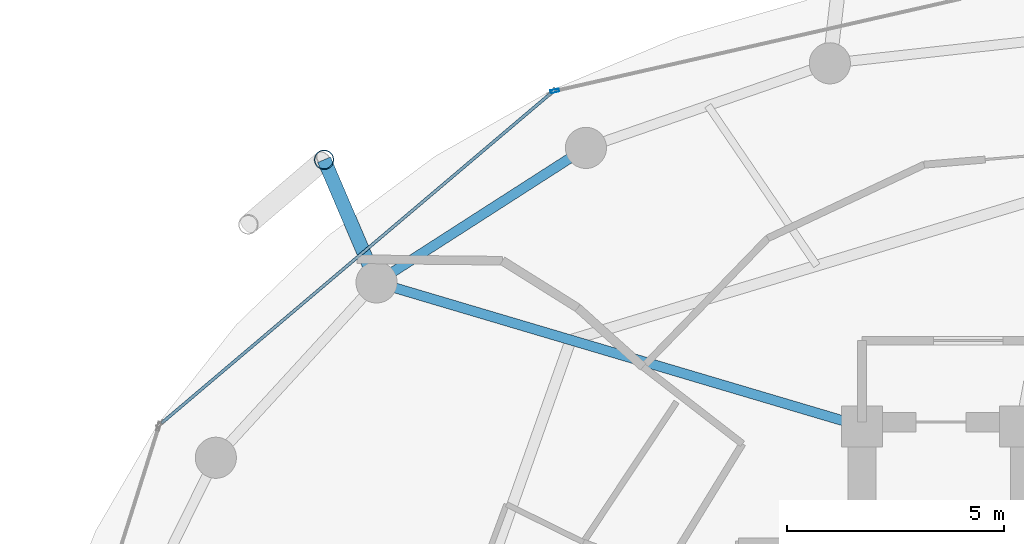
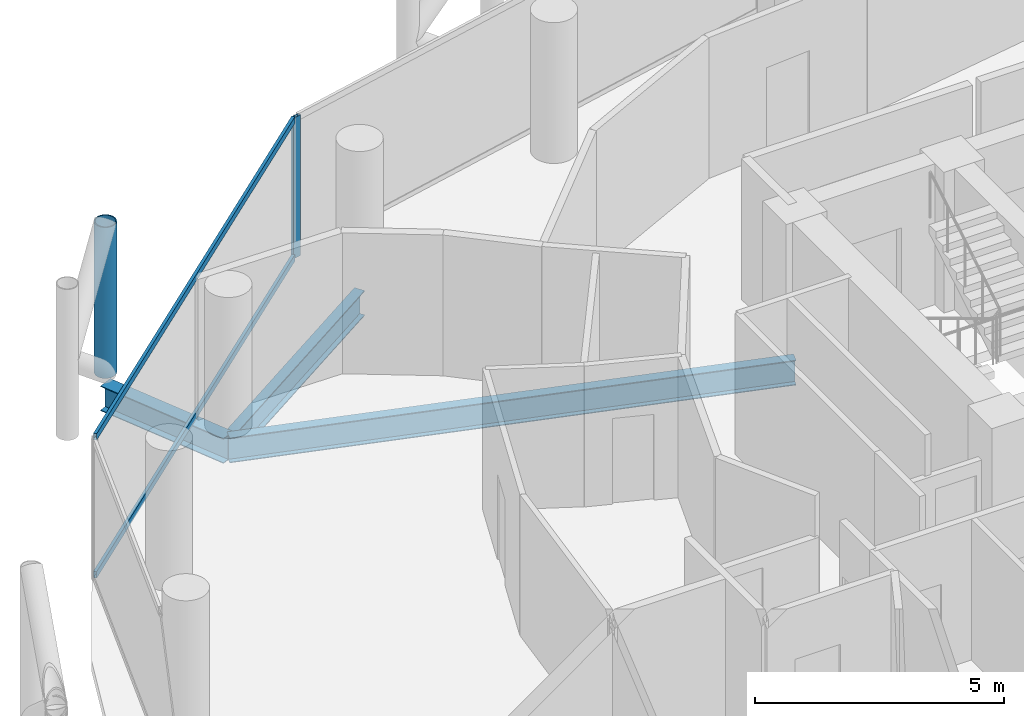
# One storey, part 14 of 26: 4 members, 3 beams, 2 elements without a shape of their own.
"""IFC4 building model written with IfcOpenShell, lengths in metres."""

from ifc_helpers import new_model, si_unit, direction, frame, origin, origin_2d, place, context, subcontext, project, spatial, hollow_rectangle, hollow_circle, i_section, extrude, material, layer, layer_set, material_profile, profile_set, type_object, element, aggregate, save


model = new_model("IFC4")

# Units and contexts
model_context = context("Model", 3, precision=1e-05, world=origin(), true_north=direction((0.0, 1.0)))
body_context = subcontext(model_context, "Body", "Model", "MODEL_VIEW")
ifc_project = project(units=[si_unit("LENGTHUNIT", "METRE"), si_unit("AREAUNIT", "SQUARE_METRE"), si_unit("VOLUMEUNIT", "CUBIC_METRE"), si_unit("PLANEANGLEUNIT", "RADIAN"), si_unit("MASSUNIT", "GRAM", prefix="KILO")], contexts=[model_context])

# Site, building, storey
site_placement = place(None, origin())
site = spatial("IfcSite", under=ifc_project, at=site_placement, CompositionType="ELEMENT")
building_placement = place(site_placement, origin())
building = spatial("IfcBuilding", under=site, at=building_placement, Name="Nuhasar Tower", CompositionType="ELEMENT")
storey_placement = place(building_placement, frame((0.0, 0.0, 177.449951171875)))
storey = spatial("IfcBuildingStorey", under=building, at=storey_placement, Name="L43", CompositionType="ELEMENT", Elevation=177.449951171875)

# Beams
ifc_material_1 = material(Name="Steel S355", Category="steel")
ifc_material_profile_1 = material_profile(ifc_material_1, i_section(OverallWidth=0.22900390625, OverallDepth=0.612060546875, WebThickness=0.011962890625, FlangeThickness=0.01953125, at=origin_2d()), Name="W24X84")
ifc_profile_set_1 = profile_set([ifc_material_profile_1], Name="Steel S355")
beam_type_1 = type_object("IfcBeamType", Name="BM-RAD-W24X84", PredefinedType="BEAM", material=ifc_profile_set_1)
beam_1_placement = place(storey_placement, frame((33.699951171875, 37.300048828125, -0.555908203125), z_axis=(-0.958746492721, 0.284262489076, 0.0), x_axis=(-0.284262489076, -0.958746492721, 0.0)))
element("IfcBeam", 1, at=beam_1_placement, inside=storey, type_object=beam_type_1, Name="L43 Radial Floor Girder 07", PredefinedType="BEAM", context=body_context, shape_type="SweptSolid", body=[
    extrude(i_section(OverallWidth=0.22900390625, OverallDepth=0.612060546875, WebThickness=0.011962890625, FlangeThickness=0.01953125, at=origin_2d()), origin(), (0.0, 0.0, 1.0), 11.693359375),
])
ifc_material_profile_2 = material_profile(ifc_material_1, i_section(OverallWidth=0.22998046875, OverallDepth=0.616943359375, WebThickness=0.01318359375, FlangeThickness=0.022216796875, at=origin_2d()), Name="W24X94")
ifc_profile_set_2 = profile_set([ifc_material_profile_2], Name="Steel S355")
beam_type_2 = type_object("IfcBeamType", Name="BM-RING-W24X94", PredefinedType="SPANDREL", material=ifc_profile_set_2)
beam_2_placement = place(storey_placement, frame((27.324951171875, 43.73095703125, -0.558837890625), z_axis=(-0.841327486207, -0.540525726448, 0.0), x_axis=(0.540525726448, -0.841327486207, 0.0)))
element("IfcBeam", 2, at=beam_2_placement, inside=storey, type_object=beam_type_2, Name="L43 Perimeter Ring Spandrel 09", PredefinedType="SPANDREL", context=body_context, shape_type="SweptSolid", body=[
    extrude(i_section(OverallWidth=0.22998046875, OverallDepth=0.616943359375, WebThickness=0.01318359375, FlangeThickness=0.022216796875, at=origin_2d()), origin(), (0.0, 0.0, 1.0), 5.748046875),
])
ifc_material_profile_3 = material_profile(ifc_material_1, i_section(OverallWidth=0.323974609375, OverallDepth=0.611083984375, WebThickness=0.0126953125, FlangeThickness=0.01904296875, at=origin_2d()), Name="W24X104")
ifc_profile_set_3 = profile_set([ifc_material_profile_3], Name="Steel S355")
beam_type_3 = type_object("IfcBeamType", Name="BM-TIE-W24X104", PredefinedType="BEAM", material=ifc_profile_set_3)
beam_3_placement = place(storey_placement, frame((22.489013671875, 40.6240234375, -0.555908203125), z_axis=(-0.39330721304, 0.919407111225, 0.0), x_axis=(-0.919407111225, -0.39330721304, 0.0)))
element("IfcBeam", 3, at=beam_3_placement, inside=storey, type_object=beam_type_3, Name="L43 Exoskeleton Node Tie Beam 05", PredefinedType="BEAM", context=body_context, shape_type="SweptSolid", body=[
    extrude(i_section(OverallWidth=0.323974609375, OverallDepth=0.611083984375, WebThickness=0.0126953125, FlangeThickness=0.01904296875, at=origin_2d()), origin(), (0.0, 0.0, 1.0), 3.081298828125),
])

# Curtain wall, member
ifc_material_2 = material(Name="Aluminium 6063-T6", Category="aluminium")
ifc_layer = layer(ifc_material_2, 0.199951171875)
ifc_layer_set = layer_set([ifc_layer], Name="Aluminium 6063-T6")
curtain_wall_type = type_object("IfcCurtainWallType", Name="CW-Z2-HTL", PredefinedType="NOTDEFINED", material=ifc_layer_set)
curtain_wall_1_placement = place(storey_placement, origin())
curtain_wall_1 = element("IfcCurtainWall", 4, at=curtain_wall_1_placement, inside=storey, type_object=curtain_wall_type, Name="L43 Unitised Curtain Wall 04", PredefinedType="NOTDEFINED")
ifc_material_profile_4 = material_profile(ifc_material_2, hollow_rectangle(XDim=0.070068359375, YDim=0.199951171875, WallThickness=0.0048828125, at=origin_2d()), Name="CWM-3")
ifc_profile_set_4 = profile_set([ifc_material_profile_4], Name="Aluminium 6063-T6")
member_type_1 = type_object("IfcMemberType", Name="CW-MUL-S3", PredefinedType="MULLION", material=ifc_profile_set_4)
member_1_placement = place(storey_placement, frame((26.604248046875, 45.045654296875, 0.0), z_axis=(0.0, 0.0, 1.0), x_axis=(0.22139729566, -0.975183694221, 0.0)))
member_1 = element("IfcMember", 5, at=member_1_placement, type_object=member_type_1, Name="CW-Z2 mullion 2", PredefinedType="MULLION", context=body_context, shape_type="SweptSolid", body=[
    extrude(hollow_rectangle(XDim=0.070068359375, YDim=0.199951171875, WallThickness=0.0048828125, at=origin_2d()), origin(), (0.0, 0.0, 1.0), 3.449951171875),
])
aggregate(curtain_wall_1, [member_1])

# Curtain wall, members
curtain_wall_2_placement = place(storey_placement, origin())
curtain_wall_2 = element("IfcCurtainWall", 6, at=curtain_wall_2_placement, inside=storey, type_object=curtain_wall_type, Name="L43 Unitised Curtain Wall 05", PredefinedType="NOTDEFINED")
ifc_material_profile_5 = material_profile(ifc_material_2, hollow_rectangle(XDim=0.070068359375, YDim=0.159912109375, WallThickness=0.00439453125, at=origin_2d()), Name="CWT-3")
ifc_profile_set_5 = profile_set([ifc_material_profile_5], Name="Aluminium 6063-T6")
member_type_2 = type_object("IfcMemberType", Name="CW-TRN-S3", PredefinedType="USERDEFINED", material=ifc_profile_set_5)
member_2_placement = place(storey_placement, frame((26.5166015625, 44.99267578125, 0.03515625), z_axis=(-0.763023915269, -0.646370253592, 0.0), x_axis=(0.646370253592, -0.763023915269, 0.0)))
member_2 = element("IfcMember", 7, at=member_2_placement, type_object=member_type_2, Name="CW-Z2 transom 1.1", ObjectType="TRANSOM", PredefinedType="USERDEFINED", context=body_context, shape_type="SweptSolid", body=[
    extrude(hollow_rectangle(XDim=0.070068359375, YDim=0.159912109375, WallThickness=0.00439453125, at=origin_2d()), origin(), (0.0, 0.0, 1.0), 11.784912109375),
])
member_3_placement = place(storey_placement, frame((26.5166015625, 44.99267578125, 3.4150390625), z_axis=(-0.763023915269, -0.646370253592, 0.0), x_axis=(0.646370253592, -0.763023915269, 0.0)))
member_3 = element("IfcMember", 8, at=member_3_placement, type_object=member_type_2, Name="CW-Z2 transom 1.2", ObjectType="TRANSOM", PredefinedType="USERDEFINED", context=body_context, shape_type="SweptSolid", body=[
    extrude(hollow_rectangle(XDim=0.070068359375, YDim=0.159912109375, WallThickness=0.00439453125, at=origin_2d()), origin(), (0.0, 0.0, 1.0), 11.784912109375),
])
aggregate(curtain_wall_2, [member_2, member_3])

# Member
ifc_material_3 = material(Name="Steel S460", Category="steel")
ifc_material_profile_6 = material_profile(ifc_material_3, hollow_circle(Radius=0.228515625, WallThickness=0.022216796875, at=origin_2d()), Name="HSS457X22.2")
ifc_profile_set_6 = profile_set([ifc_material_profile_6], Name="Steel S460")
member_type_3 = type_object("IfcMemberType", Name="EXO-BRONZE-457", PredefinedType="BRACE", material=ifc_profile_set_6)
member_4_placement = place(storey_placement, frame((21.277099609375, 43.45703125, 0.0), z_axis=(0.0, 0.0, 1.0), x_axis=(1.0, 0.0, 0.0)))
element("IfcMember", 9, at=member_4_placement, inside=storey, type_object=member_type_3, Name="L43 Exoskeleton Chord Column EC-05A", PredefinedType="BRACE", context=body_context, shape_type="SweptSolid", body=[
    extrude(hollow_circle(Radius=0.228515625, WallThickness=0.022216796875, at=origin_2d()), origin(), (0.0, 0.0, 1.0), 3.699951171875),
])

save(model, "model.ifc")
